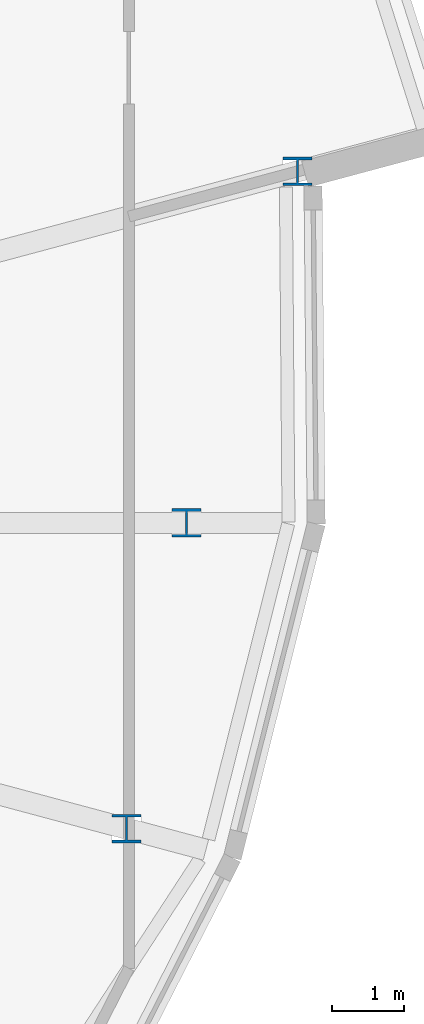
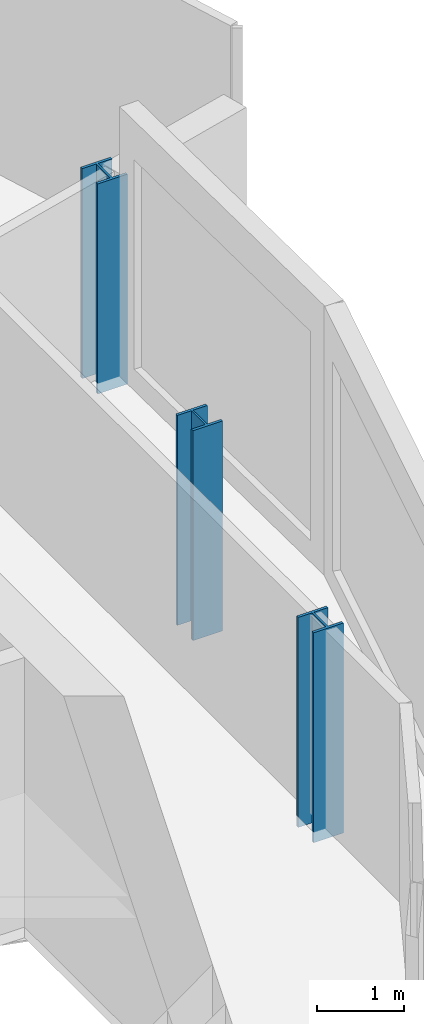
# One storey, part 2 of 35: 3 columns.
"""IFC4 building model written with IfcOpenShell, lengths in metres."""

from ifc_helpers import new_model, si_unit, direction, frame, origin, origin_2d, place, context, subcontext, project, spatial, i_section, extrude, material, material_profile, profile_set, type_object, element, save


model = new_model("IFC4")

# Units and contexts
model_context = context("Model", 3, precision=1e-05, world=origin(), true_north=direction((0.0, 1.0)))
body_context = subcontext(model_context, "Body", "Model", "MODEL_VIEW")
ifc_project = project(units=[si_unit("LENGTHUNIT", "METRE"), si_unit("AREAUNIT", "SQUARE_METRE"), si_unit("VOLUMEUNIT", "CUBIC_METRE"), si_unit("PLANEANGLEUNIT", "RADIAN"), si_unit("MASSUNIT", "GRAM", prefix="KILO")], contexts=[model_context])

# Site, building, storey
site_placement = place(None, origin())
site = spatial("IfcSite", under=ifc_project, at=site_placement, CompositionType="ELEMENT")
building_placement = place(site_placement, origin())
building = spatial("IfcBuilding", under=site, at=building_placement, Name="Rimbun Link Towers", CompositionType="ELEMENT")
storey_placement = place(building_placement, frame((0.0, 0.0, 196.89990234375)))
storey = spatial("IfcBuildingStorey", under=building, at=storey_placement, Name="L48", CompositionType="ELEMENT", Elevation=196.89990234375)

# Columns
ifc_material = material(Name="Steel S355J2", Category="steel")
ifc_material_profile = material_profile(ifc_material, i_section(OverallWidth=0.39892578125, OverallDepth=0.3935546875, WebThickness=0.022705078125, FlangeThickness=0.03662109375, at=origin_2d()), Name="UC 356x406x287")
ifc_profile_set = profile_set([ifc_material_profile], Name="Steel S355J2")
column_type = type_object("IfcColumnType", Name="UC 356x406x287", PredefinedType="COLUMN", material=ifc_profile_set)
for number, where, z_axis, x_axis, name in (
    (1, (47.49267578125, -4.21826171875, -0.14990234375), (0.0, 0.0, 1.0), (1.0, 0.0, 0.0), "Crease post T2 L48 20"),
    (2, (48.319580078125, 0.0, -0.14990234375), (0.0, 0.0, 1.0), (1.0, 0.0, 0.0), "Crease post T2 L48 21"),
    (3, (49.851318359375, 4.85009765625, -0.14990234375), (0.0, 0.0, 1.0), (1.0, 0.0, 0.0), "Crease post T2 L48 22"),
):
    element("IfcColumn", number, at=place(storey_placement, frame(where, z_axis=z_axis, x_axis=x_axis)), inside=storey, type_object=column_type, Name=name, PredefinedType="COLUMN", context=body_context, shape_type="SweptSolid", body=[
        extrude(i_section(OverallWidth=0.39892578125, OverallDepth=0.3935546875, WebThickness=0.022705078125, FlangeThickness=0.03662109375, at=origin_2d()), origin(), (0.0, 0.0, 1.0), 2.959228515625),
    ])

save(model, "model.ifc")
